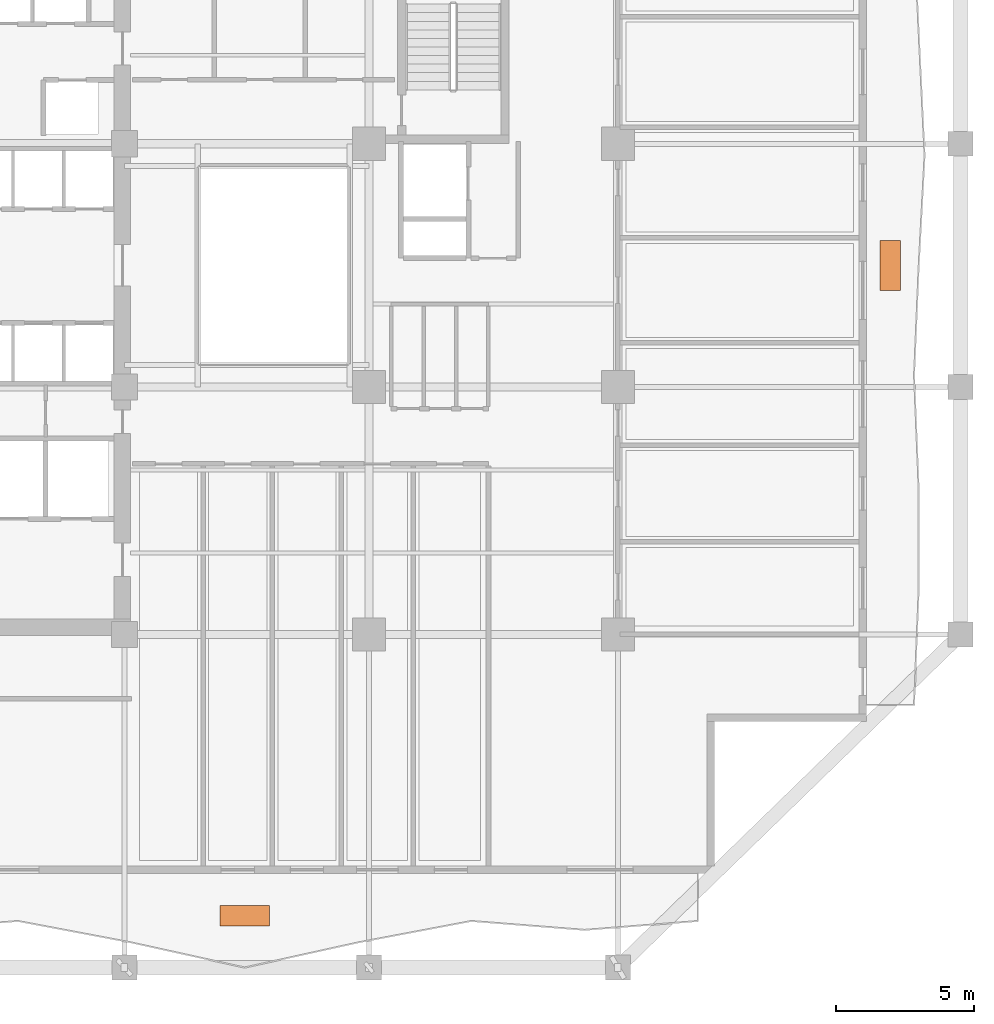
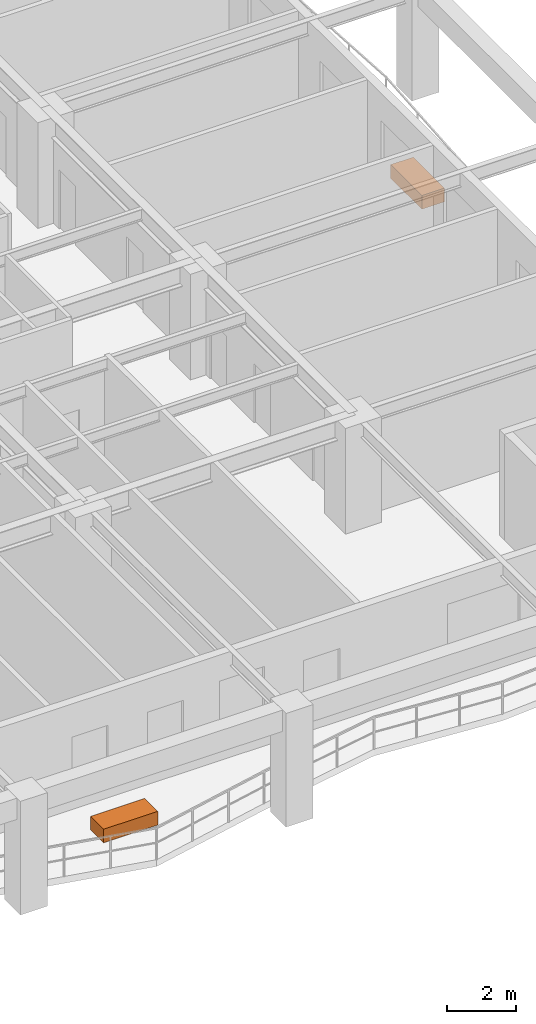
# One storey, part 13 of 13: 2 proxies.
"""IFC4 building model written with IfcOpenShell, lengths in metres."""

import ifcopenshell
import ifcopenshell.guid

model = None  # the IFC model being written
_history = None  # IfcOwnerHistory: only IFC2X3 demands one
_inside = {}  # id of a spatial element -> (the spatial element, [elements in it])
_under = {}  # id of a project, library or spatial element -> (it, [spatial elements below it])
_declared = {}  # id of a project -> (the project, [libraries it declares])
_typed = {}  # id of a type object -> (the type object, [elements of that type])
_made_of = {}  # id of a material, layer set ... -> (it, [elements and type objects made of it])


def new_model(schema):
    """Start an empty IFC model of exactly this schema.

    Asked for "IFC4X3", IfcOpenShell would pick the latest addendum, in which some entities
    have other attributes; the version numbers below select the first issue.
    IFC2X3 requires an IfcOwnerHistory on every rooted entity: one is made here for all.
    """
    global model, _history
    if schema == "IFC4X3":
        model = ifcopenshell.file(schema_version=(4, 3, 0, 0))
    else:
        model = ifcopenshell.file(schema=schema)
    _inside.clear()
    _under.clear()
    _declared.clear()
    _typed.clear()
    _made_of.clear()
    _history = None
    if model.schema == "IFC2X3":
        org = make("IfcOrganization", Name="unknown")
        user = make(
            "IfcPersonAndOrganization",
            ThePerson=make("IfcPerson", FamilyName="unknown"),
            TheOrganization=org,
        )
        app = make(
            "IfcApplication",
            ApplicationDeveloper=org,
            Version="unknown",
            ApplicationFullName="unknown",
            ApplicationIdentifier="unknown",
        )
        _history = make(
            "IfcOwnerHistory",
            OwningUser=user,
            OwningApplication=app,
            ChangeAction="ADDED",
            CreationDate=0,
        )
    return model


def make(cls, **values):
    """One entity of the class cls with the attributes given. An attribute that is None is left unset."""
    return model.create_entity(
        cls, **{name: value for name, value in values.items() if value is not None}
    )


def rooted(cls, **values):
    """An entity with a GlobalId (a new one), such as an element, a storey or a relation."""
    return make(cls, GlobalId=ifcopenshell.guid.new(), OwnerHistory=_history, **values)


def si_unit(unit_type, name, prefix=None):
    """IfcSIUnit, for example si_unit("LENGTHUNIT", "METRE", prefix="MILLI")."""
    return make("IfcSIUnit", UnitType=unit_type, Prefix=prefix, Name=name)


def assignment(units):
    """IfcUnitAssignment: the units of a project."""
    return None if units is None else make("IfcUnitAssignment", Units=units)


def point(xyz):
    """IfcCartesianPoint."""
    return None if xyz is None else make("IfcCartesianPoint", Coordinates=xyz)


def direction(xyz):
    """IfcDirection."""
    return None if xyz is None else make("IfcDirection", DirectionRatios=xyz)


def frame(location, z_axis=None, x_axis=None):
    """IfcAxis2Placement3D, a coordinate frame: its origin and axes. An axis left out is left unset."""
    return make(
        "IfcAxis2Placement3D",
        Location=point(location),
        Axis=direction(z_axis),
        RefDirection=direction(x_axis),
    )


def frame_2d(location, x_axis=None):
    """IfcAxis2Placement2D, a coordinate frame in the plane: its origin and x axis."""
    return make(
        "IfcAxis2Placement2D", Location=point(location), RefDirection=direction(x_axis)
    )


def origin():
    """The frame at (0, 0, 0) with its axes left unset."""
    return frame((0.0, 0.0, 0.0))


def origin_2d():
    """The frame at (0, 0) in the plane with its x axis left unset."""
    return frame_2d((0.0, 0.0))


def place(relative_to, where):
    """IfcLocalPlacement: puts the frame where relative to a parent placement (None: the world)."""
    return make(
        "IfcLocalPlacement", PlacementRelTo=relative_to, RelativePlacement=where
    )


def context(
    kind, dimensions, precision=None, world=None, true_north=None, identifier=None
):
    """IfcGeometricRepresentationContext, for example the 3D "Model" context."""
    return make(
        "IfcGeometricRepresentationContext",
        ContextIdentifier=identifier,
        ContextType=kind,
        CoordinateSpaceDimension=dimensions,
        Precision=precision,
        WorldCoordinateSystem=world,
        TrueNorth=true_north,
    )


def subcontext(parent, identifier, kind, view, scale=None):
    """IfcGeometricRepresentationSubContext, for example "Body" below "Model"."""
    return make(
        "IfcGeometricRepresentationSubContext",
        ContextIdentifier=identifier,
        ContextType=kind,
        ParentContext=parent,
        TargetScale=scale,
        TargetView=view,
    )


def project(units=None, contexts=None):
    """IfcProject with its units and contexts."""
    return rooted(
        "IfcProject",
        Name="project",
        RepresentationContexts=contexts,
        UnitsInContext=assignment(units),
    )


def spatial(cls, under=None, at=None, **own):
    """A site, building, storey or space (cls), placed at a placement, below another one or the project."""
    s = rooted(cls, ObjectPlacement=at, **own)
    if under is not None:
        _under.setdefault(under.id(), (under, []))[1].append(s)
    return s


def profile(cls, at=None, kind="AREA", **sizes):
    """A parametric profile (cls). Its sizes go by their IFC names, for example OverallWidth=200.0."""
    return make(cls, ProfileType=kind, Position=at, **sizes)


def rectangle(**sizes):
    """IfcRectangleProfileDef."""
    return profile("IfcRectangleProfileDef", **sizes)


def extrude(swept, where, along, depth):
    """IfcExtrudedAreaSolid: the profile swept, set in the frame where, extruded along a direction by depth."""
    return make(
        "IfcExtrudedAreaSolid",
        SweptArea=swept,
        Position=where,
        ExtrudedDirection=direction(along),
        Depth=depth,
    )


def shape(context_of_items, identifier, shape_type, items):
    """IfcShapeRepresentation: the items that make up one representation, for example the "Body"."""
    return make(
        "IfcShapeRepresentation",
        ContextOfItems=context_of_items,
        RepresentationIdentifier=identifier,
        RepresentationType=shape_type,
        Items=items,
    )


def material(Name=None, Category=None):
    """IfcMaterial."""
    return make("IfcMaterial", Name=Name, Category=Category)


def made_of(thing, what):
    """Note that an element or type object is made of a material, layer set ...; save() writes the relation."""
    if what is not None:
        _made_of.setdefault(what.id(), (what, []))[1].append(thing)
    return thing


def type_object(cls, material=None, **own):
    """A type object (cls), such as IfcWallType, which elements share."""
    return made_of(rooted(cls, **own), material)


def element(
    cls,
    number,
    at=None,
    inside=None,
    cuts=None,
    type_object=None,
    material=None,
    context=None,
    identifier="Body",
    shape_type=None,
    held_by="IfcProductDefinitionShape",
    body=None,
    shapes=None,
    **own,
):
    """One element of the class cls, such as IfcWall. Its Tag is "e" and its number.

    at: its placement. inside: the storey or other place that contains it. cuts: it is an
    opening in that element (IfcRelVoidsElement). A single representation is given by context,
    identifier, shape_type and body (its items); several are given by shapes. held_by: the class
    of the entity that holds the representations. save() writes the other relations.
    """
    e = rooted(cls, Tag="e%d" % number, ObjectPlacement=at, **own)
    if body is not None:
        shapes = [shape(context, identifier, shape_type, body)]
    if shapes is not None:
        e.Representation = make(held_by, Representations=shapes)
    if inside is not None:
        _inside.setdefault(inside.id(), (inside, []))[1].append(e)
    if cuts is not None:
        rooted(
            "IfcRelVoidsElement", RelatingBuildingElement=cuts, RelatedOpeningElement=e
        )
    if type_object is not None:
        _typed.setdefault(type_object.id(), (type_object, []))[1].append(e)
    return made_of(e, material)


def aggregate(whole, parts):
    """IfcRelAggregates: a whole, such as a stair, and the parts it consists of."""
    return rooted("IfcRelAggregates", RelatingObject=whole, RelatedObjects=parts)


def save(model, path):
    """Write the relations noted so far, then the file.

    IfcRelAggregates (storeys below a building ...), IfcRelContainedInSpatialStructure (elements
    in a storey), IfcRelDefinesByType, IfcRelAssociatesMaterial and IfcRelDeclares: one each for
    every whole, place, type object, material and project.
    """
    for whole, parts in _under.values():
        aggregate(whole, parts)
    for where, things in _inside.values():
        rooted(
            "IfcRelContainedInSpatialStructure",
            RelatedElements=things,
            RelatingStructure=where,
        )
    for kind, things in _typed.values():
        rooted("IfcRelDefinesByType", RelatedObjects=things, RelatingType=kind)
    for what, things in _made_of.values():
        rooted("IfcRelAssociatesMaterial", RelatedObjects=things, RelatingMaterial=what)
    for by, libraries in _declared.values():
        rooted("IfcRelDeclares", RelatingContext=by, RelatedDefinitions=libraries)
    model.write(path)


model = new_model("IFC4")

# Units and contexts
model_context = context("Model", 3, precision=1e-05, world=origin(), true_north=direction((0.0, 1.0)))
body_context = subcontext(model_context, "Body", "Model", "MODEL_VIEW")
ifc_project = project(units=[si_unit("LENGTHUNIT", "METRE"), si_unit("AREAUNIT", "SQUARE_METRE"), si_unit("VOLUMEUNIT", "CUBIC_METRE"), si_unit("PLANEANGLEUNIT", "RADIAN"), si_unit("MASSUNIT", "GRAM", prefix="KILO")], contexts=[model_context])

# Site, building, storey
site_placement = place(None, origin())
site = spatial("IfcSite", under=ifc_project, at=site_placement, CompositionType="ELEMENT")
building_placement = place(site_placement, origin())
building = spatial("IfcBuilding", under=site, at=building_placement, Name="Kundavana Baori Tower", CompositionType="ELEMENT")
storey_placement = place(building_placement, frame((0.0, 0.0, 70.0)))
storey = spatial("IfcBuildingStorey", under=building, at=storey_placement, Name="L16", CompositionType="ELEMENT", Elevation=70.0)

# Proxies
ifc_material = material(Name="Red-Buff Dholpur Sandstone Cladding on Concrete C40/50", Category="masonry")
building_element_proxy_type = type_object("IfcBuildingElementProxyType", Name="PRX-PLANTER-1800", PredefinedType="USERDEFINED", material=ifc_material)
for number, where, z_axis, x_axis, name in (
    (1, (29.300048828125, 5.070068359375, 0.0), (0.0, 0.0, 1.0), (1.0, 0.0, 0.0), "L16 Dholpur Stone Structural Tree Planter S"),
    (2, (52.65087890625, 28.60009765625, 0.0), (0.0, 0.0, 1.0), (0.0, 1.0, 0.0), "L16 Dholpur Stone Structural Tree Planter E"),
):
    element("IfcBuildingElementProxy", number, at=place(storey_placement, frame(where, z_axis=z_axis, x_axis=x_axis)), inside=storey, type_object=building_element_proxy_type, Name=name, ObjectType="PLANTER", PredefinedType="USERDEFINED", context=body_context, shape_type="SweptSolid", body=[
        extrude(rectangle(XDim=1.800048828125, YDim=0.75, at=origin_2d()), origin(), (0.0, 0.0, 1.0), 0.47998046875),
    ])

save(model, "model.ifc")
